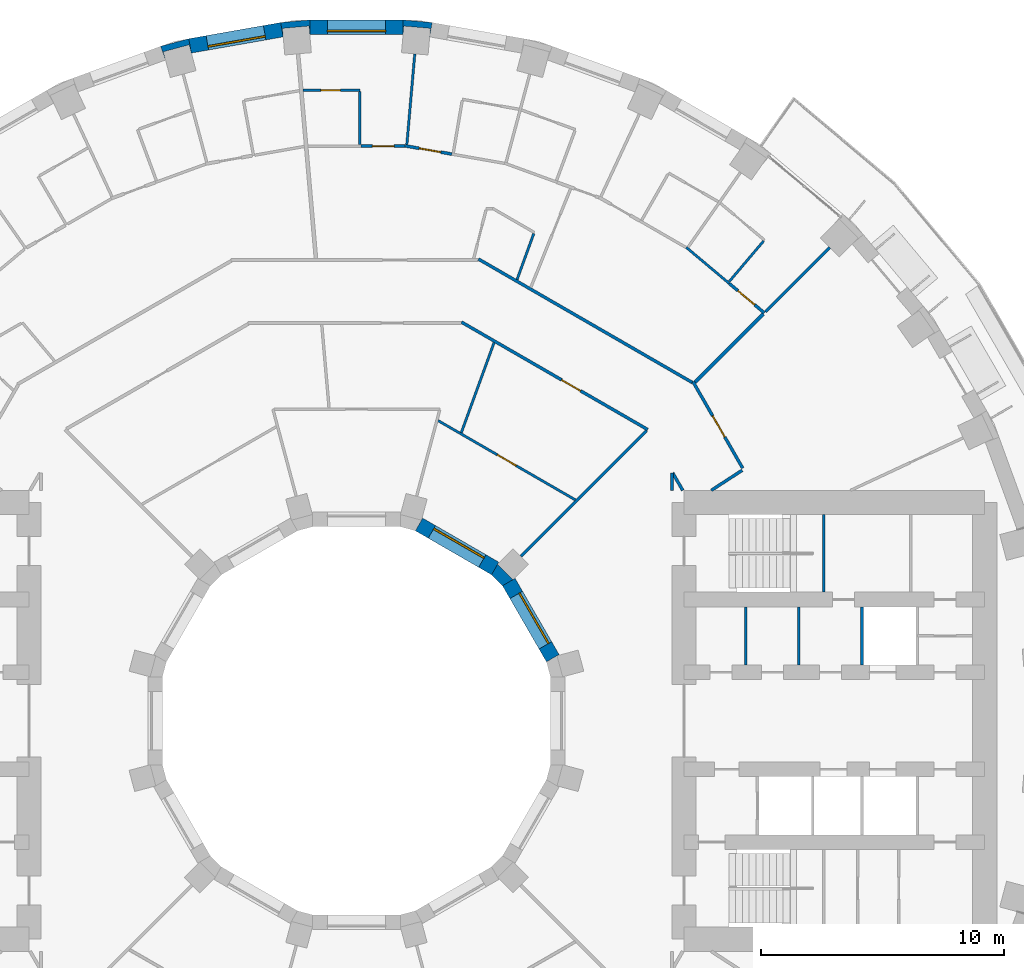
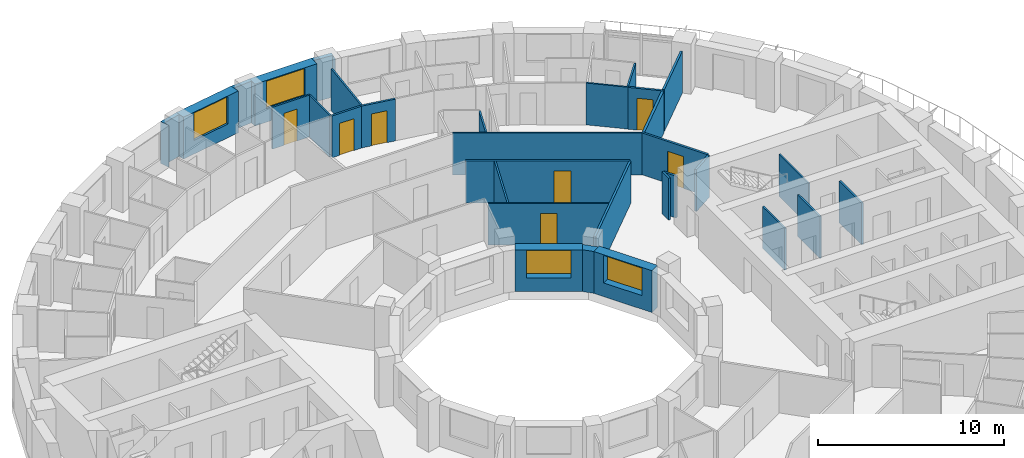
# One storey, part 12 of 15: 32 walls, 7 doors, 4 windows, 11 openings.
"""IFC4 building model written with IfcOpenShell, lengths in metres."""

import ifcopenshell
import ifcopenshell.guid

model = None  # the IFC model being written
_history = None  # IfcOwnerHistory: only IFC2X3 demands one
_inside = {}  # id of a spatial element -> (the spatial element, [elements in it])
_under = {}  # id of a project, library or spatial element -> (it, [spatial elements below it])
_declared = {}  # id of a project -> (the project, [libraries it declares])
_typed = {}  # id of a type object -> (the type object, [elements of that type])
_made_of = {}  # id of a material, layer set ... -> (it, [elements and type objects made of it])


def new_model(schema):
    """Start an empty IFC model of exactly this schema.

    Asked for "IFC4X3", IfcOpenShell would pick the latest addendum, in which some entities
    have other attributes; the version numbers below select the first issue.
    IFC2X3 requires an IfcOwnerHistory on every rooted entity: one is made here for all.
    """
    global model, _history
    if schema == "IFC4X3":
        model = ifcopenshell.file(schema_version=(4, 3, 0, 0))
    else:
        model = ifcopenshell.file(schema=schema)
    _inside.clear()
    _under.clear()
    _declared.clear()
    _typed.clear()
    _made_of.clear()
    _history = None
    if model.schema == "IFC2X3":
        org = make("IfcOrganization", Name="unknown")
        user = make(
            "IfcPersonAndOrganization",
            ThePerson=make("IfcPerson", FamilyName="unknown"),
            TheOrganization=org,
        )
        app = make(
            "IfcApplication",
            ApplicationDeveloper=org,
            Version="unknown",
            ApplicationFullName="unknown",
            ApplicationIdentifier="unknown",
        )
        _history = make(
            "IfcOwnerHistory",
            OwningUser=user,
            OwningApplication=app,
            ChangeAction="ADDED",
            CreationDate=0,
        )
    return model


def make(cls, **values):
    """One entity of the class cls with the attributes given. An attribute that is None is left unset."""
    return model.create_entity(
        cls, **{name: value for name, value in values.items() if value is not None}
    )


def rooted(cls, **values):
    """An entity with a GlobalId (a new one), such as an element, a storey or a relation."""
    return make(cls, GlobalId=ifcopenshell.guid.new(), OwnerHistory=_history, **values)


def si_unit(unit_type, name, prefix=None):
    """IfcSIUnit, for example si_unit("LENGTHUNIT", "METRE", prefix="MILLI")."""
    return make("IfcSIUnit", UnitType=unit_type, Prefix=prefix, Name=name)


def assignment(units):
    """IfcUnitAssignment: the units of a project."""
    return None if units is None else make("IfcUnitAssignment", Units=units)


def point(xyz):
    """IfcCartesianPoint."""
    return None if xyz is None else make("IfcCartesianPoint", Coordinates=xyz)


def direction(xyz):
    """IfcDirection."""
    return None if xyz is None else make("IfcDirection", DirectionRatios=xyz)


def frame(location, z_axis=None, x_axis=None):
    """IfcAxis2Placement3D, a coordinate frame: its origin and axes. An axis left out is left unset."""
    return make(
        "IfcAxis2Placement3D",
        Location=point(location),
        Axis=direction(z_axis),
        RefDirection=direction(x_axis),
    )


def frame_2d(location, x_axis=None):
    """IfcAxis2Placement2D, a coordinate frame in the plane: its origin and x axis."""
    return make(
        "IfcAxis2Placement2D", Location=point(location), RefDirection=direction(x_axis)
    )


def origin():
    """The frame at (0, 0, 0) with its axes left unset."""
    return frame((0.0, 0.0, 0.0))


def place(relative_to, where):
    """IfcLocalPlacement: puts the frame where relative to a parent placement (None: the world)."""
    return make(
        "IfcLocalPlacement", PlacementRelTo=relative_to, RelativePlacement=where
    )


def context(
    kind, dimensions, precision=None, world=None, true_north=None, identifier=None
):
    """IfcGeometricRepresentationContext, for example the 3D "Model" context."""
    return make(
        "IfcGeometricRepresentationContext",
        ContextIdentifier=identifier,
        ContextType=kind,
        CoordinateSpaceDimension=dimensions,
        Precision=precision,
        WorldCoordinateSystem=world,
        TrueNorth=true_north,
    )


def subcontext(parent, identifier, kind, view, scale=None):
    """IfcGeometricRepresentationSubContext, for example "Body" below "Model"."""
    return make(
        "IfcGeometricRepresentationSubContext",
        ContextIdentifier=identifier,
        ContextType=kind,
        ParentContext=parent,
        TargetScale=scale,
        TargetView=view,
    )


def project(units=None, contexts=None):
    """IfcProject with its units and contexts."""
    return rooted(
        "IfcProject",
        Name="project",
        RepresentationContexts=contexts,
        UnitsInContext=assignment(units),
    )


def spatial(cls, under=None, at=None, **own):
    """A site, building, storey or space (cls), placed at a placement, below another one or the project."""
    s = rooted(cls, ObjectPlacement=at, **own)
    if under is not None:
        _under.setdefault(under.id(), (under, []))[1].append(s)
    return s


def polyline(points):
    """IfcPolyline through the points."""
    return make("IfcPolyline", Points=[point(p) for p in points])


def profile(cls, at=None, kind="AREA", **sizes):
    """A parametric profile (cls). Its sizes go by their IFC names, for example OverallWidth=200.0."""
    return make(cls, ProfileType=kind, Position=at, **sizes)


def rectangle(**sizes):
    """IfcRectangleProfileDef."""
    return profile("IfcRectangleProfileDef", **sizes)


def outline(outer, holes=None, kind="AREA"):
    """IfcArbitraryClosedProfileDef: a profile drawn as a closed curve; with holes, ...WithVoids."""
    if holes is None:
        return make("IfcArbitraryClosedProfileDef", ProfileType=kind, OuterCurve=outer)
    return make(
        "IfcArbitraryProfileDefWithVoids",
        ProfileType=kind,
        OuterCurve=outer,
        InnerCurves=holes,
    )


def extrude(swept, where, along, depth):
    """IfcExtrudedAreaSolid: the profile swept, set in the frame where, extruded along a direction by depth."""
    return make(
        "IfcExtrudedAreaSolid",
        SweptArea=swept,
        Position=where,
        ExtrudedDirection=direction(along),
        Depth=depth,
    )


def shape(context_of_items, identifier, shape_type, items):
    """IfcShapeRepresentation: the items that make up one representation, for example the "Body"."""
    return make(
        "IfcShapeRepresentation",
        ContextOfItems=context_of_items,
        RepresentationIdentifier=identifier,
        RepresentationType=shape_type,
        Items=items,
    )


def material(Name=None, Category=None):
    """IfcMaterial."""
    return make("IfcMaterial", Name=Name, Category=Category)


def layer(
    of_material, thickness, ventilated=None, Name=None, Category=None, Priority=None
):
    """IfcMaterialLayer: one layer of a wall or slab, of a material (None: an air gap)."""
    return make(
        "IfcMaterialLayer",
        Material=of_material,
        LayerThickness=thickness,
        IsVentilated=ventilated,
        Name=Name,
        Category=Category,
        Priority=Priority,
    )


def layer_set(layers, Name=None):
    """IfcMaterialLayerSet."""
    return make("IfcMaterialLayerSet", MaterialLayers=layers, LayerSetName=Name)


def made_of(thing, what):
    """Note that an element or type object is made of a material, layer set ...; save() writes the relation."""
    if what is not None:
        _made_of.setdefault(what.id(), (what, []))[1].append(thing)
    return thing


def type_object(cls, material=None, **own):
    """A type object (cls), such as IfcWallType, which elements share."""
    return made_of(rooted(cls, **own), material)


def element(
    cls,
    number,
    at=None,
    inside=None,
    cuts=None,
    type_object=None,
    material=None,
    context=None,
    identifier="Body",
    shape_type=None,
    held_by="IfcProductDefinitionShape",
    body=None,
    shapes=None,
    **own,
):
    """One element of the class cls, such as IfcWall. Its Tag is "e" and its number.

    at: its placement. inside: the storey or other place that contains it. cuts: it is an
    opening in that element (IfcRelVoidsElement). A single representation is given by context,
    identifier, shape_type and body (its items); several are given by shapes. held_by: the class
    of the entity that holds the representations. save() writes the other relations.
    """
    e = rooted(cls, Tag="e%d" % number, ObjectPlacement=at, **own)
    if body is not None:
        shapes = [shape(context, identifier, shape_type, body)]
    if shapes is not None:
        e.Representation = make(held_by, Representations=shapes)
    if inside is not None:
        _inside.setdefault(inside.id(), (inside, []))[1].append(e)
    if cuts is not None:
        rooted(
            "IfcRelVoidsElement", RelatingBuildingElement=cuts, RelatedOpeningElement=e
        )
    if type_object is not None:
        _typed.setdefault(type_object.id(), (type_object, []))[1].append(e)
    return made_of(e, material)


def fill(opening, filler):
    """IfcRelFillsElement: the door or window that sits in an opening."""
    return rooted(
        "IfcRelFillsElement",
        RelatingOpeningElement=opening,
        RelatedBuildingElement=filler,
    )


def aggregate(whole, parts):
    """IfcRelAggregates: a whole, such as a stair, and the parts it consists of."""
    return rooted("IfcRelAggregates", RelatingObject=whole, RelatedObjects=parts)


def save(model, path):
    """Write the relations noted so far, then the file.

    IfcRelAggregates (storeys below a building ...), IfcRelContainedInSpatialStructure (elements
    in a storey), IfcRelDefinesByType, IfcRelAssociatesMaterial and IfcRelDeclares: one each for
    every whole, place, type object, material and project.
    """
    for whole, parts in _under.values():
        aggregate(whole, parts)
    for where, things in _inside.values():
        rooted(
            "IfcRelContainedInSpatialStructure",
            RelatedElements=things,
            RelatingStructure=where,
        )
    for kind, things in _typed.values():
        rooted("IfcRelDefinesByType", RelatedObjects=things, RelatingType=kind)
    for what, things in _made_of.values():
        rooted("IfcRelAssociatesMaterial", RelatedObjects=things, RelatingMaterial=what)
    for by, libraries in _declared.values():
        rooted("IfcRelDeclares", RelatingContext=by, RelatedDefinitions=libraries)
    model.write(path)


model = new_model("IFC4")

# Units and contexts
model_context = context("Model", 3, precision=1e-05, world=origin(), true_north=direction((0.0, 1.0)))
body_context = subcontext(model_context, "Body", "Model", "MODEL_VIEW")
ifc_project = project(units=[si_unit("LENGTHUNIT", "METRE"), si_unit("AREAUNIT", "SQUARE_METRE"), si_unit("VOLUMEUNIT", "CUBIC_METRE"), si_unit("PLANEANGLEUNIT", "RADIAN"), si_unit("MASSUNIT", "GRAM", prefix="KILO")], contexts=[model_context])

# Site, building, storey
site_placement = place(None, origin())
site = spatial("IfcSite", under=ifc_project, at=site_placement, CompositionType="ELEMENT")
building_placement = place(site_placement, origin())
building = spatial("IfcBuilding", under=site, at=building_placement, Name="Saqina Gate Tower", CompositionType="ELEMENT")
storey_placement = place(building_placement, frame((0.0, 0.0, 56.0)))
storey = spatial("IfcBuildingStorey", under=building, at=storey_placement, Name="L15", CompositionType="ELEMENT", Elevation=56.0)

# Walls
ifc_material_1 = material(Name="Brick masonry (red)", Category="masonry")
wall_type_1 = type_object("IfcWallType", Name="BRICK PIER COPING RED", PredefinedType="SOLIDWALL", material=ifc_material_1)
wall_1_placement = place(storey_placement, origin())
element("IfcWall", 1, at=wall_1_placement, inside=storey, type_object=wall_type_1, Name="Pier cap L15 column 9", PredefinedType="SOLIDWALL", context=body_context, shape_type="SweptSolid", body=[
    extrude(outline(polyline([(3.122802734375, 28.78466796875), (1.9228515625, 28.8896484375), (1.9228515625, 28.28955078125), (1.95361328125, 28.638671875), (3.04931640625, 28.54296875), (3.018798828125, 28.19384765625), (3.122802734375, 28.78466796875)])), origin(), (0.0, 0.0, 1.0), 2.75),
])
wall_2_placement = place(storey_placement, origin())
element("IfcWall", 2, at=wall_2_placement, inside=storey, type_object=wall_type_1, Name="Pier cap L15 column 10", PredefinedType="SOLIDWALL", context=body_context, shape_type="SweptSolid", body=[
    extrude(outline(polyline([(-1.9228515625, 28.8896484375), (-3.122802734375, 28.78466796875), (-3.018798828125, 28.19384765625), (-3.04931640625, 28.54296875), (-1.95361328125, 28.638671875), (-1.9228515625, 28.28955078125), (-1.9228515625, 28.8896484375)])), origin(), (0.0, 0.0, 1.0), 2.75),
])
wall_3_placement = place(storey_placement, origin())
element("IfcWall", 3, at=wall_3_placement, inside=storey, type_object=wall_type_1, Name="Pier cap L15 column 11", PredefinedType="SOLIDWALL", context=body_context, shape_type="SweptSolid", body=[
    extrude(outline(polyline([(-6.910400390625, 28.11669921875), (-8.073974609375, 27.80517578125), (-7.86865234375, 27.2412109375), (-7.95947265625, 27.57958984375), (-6.896728515625, 27.864501953125), (-6.80615234375, 27.52587890625), (-6.910400390625, 28.11669921875)])), origin(), (0.0, 0.0, 1.0), 2.75),
])
ifc_material_2 = material(Name="Gypsum board on steel studs", Category="steel")
ifc_layer_1 = layer(ifc_material_2, 0.10009765625)
ifc_layer_set_1 = layer_set([ifc_layer_1], Name="CORE PARTITION")
wall_type_2 = type_object("IfcWallType", Name="CORE PARTITION", PredefinedType="PARTITIONING", material=ifc_layer_set_1)
for number, where, z_axis, x_axis, name in (
    (4, (16.052001953125, 2.300048828125, 0.0), (0.0, 0.0, 1.0), (0.0, 1.0, 0.0), "L15-CP-E01"),
    (5, (18.24072265625, 2.300048828125, 0.0), (0.0, 0.0, 1.0), (0.0, 1.0, 0.0), "L15-CP-E02"),
):
    element("IfcWall", number, at=place(storey_placement, frame(where, z_axis=z_axis, x_axis=x_axis)), inside=storey, type_object=wall_type_2, Name=name, PredefinedType="PARTITIONING", context=body_context, shape_type="SweptSolid", body=[
        extrude(rectangle(XDim=2.39990234375, YDim=0.10009765625, at=frame_2d((1.199951171875, 0.0))), origin(), (0.0, 0.0, 1.0), 2.75),
    ])

# Wall, opening, window
ifc_material_3 = material(Name="Brick masonry (red)", Category="masonry")
ifc_layer_2 = layer(ifc_material_3, 0.60009765625)
ifc_layer_set_2 = layer_set([ifc_layer_2], Name="FW-BRICK-RED")
wall_type_3 = type_object("IfcWallType", Name="FW-BRICK-RED", PredefinedType="SOLIDWALL", material=ifc_layer_set_2)
wall_4_placement = place(storey_placement, frame((1.9228515625, 28.589599609375, 0.0), z_axis=(0.0, 0.0, 1.0), x_axis=(-1.0, 0.0, 0.0)))
wall_4 = element("IfcWall", 6, at=wall_4_placement, inside=storey, type_object=wall_type_3, Name="Facade wall L15 facet 9", PredefinedType="SOLIDWALL", context=body_context, shape_type="SweptSolid", body=[
    extrude(rectangle(XDim=3.845703125, YDim=0.60009765625, at=frame_2d((1.9228515625, 0.0))), origin(), (0.0, 0.0, 1.0), 2.75),
])
opening_1_placement = place(wall_4_placement, frame((0.722900390625, 0.0, 0.89990234375)))
opening_1 = element("IfcOpeningElement", 7, at=opening_1_placement, cuts=wall_4, Name="Opening G04-W04", PredefinedType="OPENING", context=body_context, shape_type="SweptSolid", body=[
    extrude(rectangle(XDim=2.39990234375, YDim=1.800048828125, at=frame_2d((1.199951171875, 0.89990234375))), frame((0.0, 0.31201171875, 0.0), z_axis=(0.0, -1.0, 0.0), x_axis=(1.0, 0.0, 0.0)), (0.0, 0.0, 1.0), 0.6240234375),
])
ifc_material_4 = material(Name="Aluminium glazing", Category="aluminium")
window_type_1 = type_object("IfcWindowType", Name="WN-A", PartitioningType="SINGLE_PANEL", PredefinedType="WINDOW", material=ifc_material_4)
window_1_placement = place(opening_1_placement, origin())
window_1 = element("IfcWindow", 8, at=window_1_placement, inside=storey, type_object=window_type_1, Name="Window L15 facet 9", OverallHeight=1.800048828125, OverallWidth=2.39990234375, PartitioningType="SINGLE_PANEL", PredefinedType="WINDOW", context=body_context, shape_type="SweptSolid", body=[
    extrude(rectangle(XDim=2.39990234375, YDim=1.800048828125, at=frame_2d((1.199951171875, 0.89990234375))), frame((0.0, 0.179931640625, 0.0), z_axis=(0.0, -1.0, 0.0), x_axis=(1.0, 0.0, 0.0)), (0.0, 0.0, 1.0), 0.06005859375),
])
fill(opening_1, window_1)

wall_5_placement = place(storey_placement, frame((-3.07080078125, 28.4892578125, 0.0), z_axis=(0.0, 0.0, 1.0), x_axis=(-0.984800809218, -0.173687553279, 0.0)))
wall_5 = element("IfcWall", 9, at=wall_5_placement, inside=storey, type_object=wall_type_3, Name="Facade wall L15 facet 10", PredefinedType="SOLIDWALL", context=body_context, shape_type="SweptSolid", body=[
    extrude(rectangle(XDim=3.845703125, YDim=0.60009765625, at=frame_2d((1.9228515625, 0.0))), origin(), (0.0, 0.0, 1.0), 2.75),
])
opening_2_placement = place(wall_5_placement, frame((0.722900390625, 0.0, 0.89990234375)))
opening_2 = element("IfcOpeningElement", 10, at=opening_2_placement, cuts=wall_5, Name="Opening G04-W05", PredefinedType="OPENING", context=body_context, shape_type="SweptSolid", body=[
    extrude(rectangle(XDim=2.39990234375, YDim=1.800048828125, at=frame_2d((1.199951171875, 0.89990234375))), frame((0.0, 0.31201171875, 0.0), z_axis=(0.0, -1.0, 0.0), x_axis=(1.0, 0.0, 0.0)), (0.0, 0.0, 1.0), 0.6240234375),
])
window_2_placement = place(opening_2_placement, origin())
window_2 = element("IfcWindow", 11, at=window_2_placement, inside=storey, type_object=window_type_1, Name="Window L15 facet 10", OverallHeight=1.800048828125, OverallWidth=2.39990234375, PartitioningType="SINGLE_PANEL", PredefinedType="WINDOW", context=body_context, shape_type="SweptSolid", body=[
    extrude(rectangle(XDim=2.39990234375, YDim=1.800048828125, at=frame_2d((1.199951171875, 0.89990234375))), frame((0.0, 0.179931640625, 0.0), z_axis=(0.0, -1.0, 0.0), x_axis=(1.0, 0.0, 0.0)), (0.0, 0.0, 1.0), 0.06005859375),
])
fill(opening_2, window_2)

ifc_material_5 = material(Name="Glazed ceramic tile", Category="ceramic")
ifc_layer_3 = layer(ifc_material_5, 0.60009765625)
ifc_layer_set_3 = layer_set([ifc_layer_3], Name="IW-TILE")
wall_type_4 = type_object("IfcWallType", Name="IW-TILE", PredefinedType="SOLIDWALL", material=ifc_layer_set_3)
wall_6_placement = place(storey_placement, frame((8.09423828125, 2.580322265625, 0.0), z_axis=(0.0, 0.0, 1.0), x_axis=(-0.499992569217, 0.866029693906, 0.0)))
wall_6 = element("IfcWall", 12, at=wall_6_placement, inside=storey, type_object=wall_type_4, Name="Well wall L15 facet 1", PredefinedType="SOLIDWALL", context=body_context, shape_type="SweptSolid", body=[
    extrude(rectangle(XDim=3.625, YDim=0.60009765625, at=frame_2d((1.8125, 0.0))), origin(), (0.0, 0.0, 1.0), 2.75),
])
opening_3_placement = place(wall_6_placement, frame((0.612548828125, 0.0, 0.89990234375)))
opening_3 = element("IfcOpeningElement", 13, at=opening_3_placement, cuts=wall_6, Name="Opening G04-W24", PredefinedType="OPENING", context=body_context, shape_type="SweptSolid", body=[
    extrude(rectangle(XDim=2.39990234375, YDim=1.800048828125, at=frame_2d((1.199951171875, 0.89990234375))), frame((0.0, 0.31201171875, 0.0), z_axis=(0.0, -1.0, 0.0), x_axis=(1.0, 0.0, 0.0)), (0.0, 0.0, 1.0), 0.6240234375),
])
ifc_material_6 = material(Name="Aluminium glazing", Category="aluminium")
window_type_2 = type_object("IfcWindowType", Name="WN-W", PartitioningType="SINGLE_PANEL", PredefinedType="WINDOW", material=ifc_material_6)
window_3_placement = place(opening_3_placement, origin())
window_3 = element("IfcWindow", 14, at=window_3_placement, inside=storey, type_object=window_type_2, Name="Well window L15 facet 1", OverallHeight=1.800048828125, OverallWidth=2.39990234375, PartitioningType="SINGLE_PANEL", PredefinedType="WINDOW", context=body_context, shape_type="SweptSolid", body=[
    extrude(rectangle(XDim=2.39990234375, YDim=1.800048828125, at=frame_2d((1.199951171875, 0.89990234375))), frame((0.0, -0.119873046875, 0.0), z_axis=(0.0, -1.0, 0.0), x_axis=(1.0, 0.0, 0.0)), (0.0, 0.0, 1.0), 0.06005859375),
])
fill(opening_3, window_3)

wall_7_placement = place(storey_placement, frame((5.7197265625, 6.28173828125, 0.0), z_axis=(0.0, 0.0, 1.0), x_axis=(-0.866029693906, 0.499992569217, 0.0)))
wall_7 = element("IfcWall", 15, at=wall_7_placement, inside=storey, type_object=wall_type_4, Name="Well wall L15 facet 2", PredefinedType="SOLIDWALL", context=body_context, shape_type="SweptSolid", body=[
    extrude(rectangle(XDim=3.625, YDim=0.60009765625, at=frame_2d((1.8125, 0.0))), origin(), (0.0, 0.0, 1.0), 2.75),
])
opening_4_placement = place(wall_7_placement, frame((0.612548828125, 0.0, 0.89990234375)))
opening_4 = element("IfcOpeningElement", 16, at=opening_4_placement, cuts=wall_7, Name="Opening G04-W25", PredefinedType="OPENING", context=body_context, shape_type="SweptSolid", body=[
    extrude(rectangle(XDim=2.39990234375, YDim=1.800048828125, at=frame_2d((1.199951171875, 0.89990234375))), frame((0.0, 0.31201171875, 0.0), z_axis=(0.0, -1.0, 0.0), x_axis=(1.0, 0.0, 0.0)), (0.0, 0.0, 1.0), 0.6240234375),
])
window_4_placement = place(opening_4_placement, origin())
window_4 = element("IfcWindow", 17, at=window_4_placement, inside=storey, type_object=window_type_2, Name="Well window L15 facet 2", OverallHeight=1.800048828125, OverallWidth=2.39990234375, PartitioningType="SINGLE_PANEL", PredefinedType="WINDOW", context=body_context, shape_type="SweptSolid", body=[
    extrude(rectangle(XDim=2.39990234375, YDim=1.800048828125, at=frame_2d((1.199951171875, 0.89990234375))), frame((0.0, -0.119873046875, 0.0), z_axis=(0.0, -1.0, 0.0), x_axis=(1.0, 0.0, 0.0)), (0.0, 0.0, 1.0), 0.06005859375),
])
fill(opening_4, window_4)

# Wall
ifc_material_7 = material(Name="Gypsum board on steel studs, 100 mm", Category="steel")
ifc_layer_4 = layer(ifc_material_7, 0.10009765625)
ifc_layer_set_4 = layer_set([ifc_layer_4], Name="PARTITION 100")
wall_type_5 = type_object("IfcWallType", Name="PARTITION 100", PredefinedType="PARTITIONING", material=ifc_layer_set_4)
wall_8_placement = place(storey_placement, frame((13.60107421875, 19.5126953125, 0.0), z_axis=(0.0, 0.0, 1.0), x_axis=(0.765838323525, -0.643033173499, 0.0)))
element("IfcWall", 18, at=wall_8_placement, inside=storey, type_object=wall_type_5, Name="PARTITION PW3-30", PredefinedType="PARTITIONING", context=body_context, shape_type="SweptSolid", body=[
    extrude(rectangle(XDim=2.30615234375, YDim=0.10009765625, at=frame_2d((1.153076171875, 0.0))), origin(), (0.0, 0.0, 1.0), 2.75),
])

# Wall, opening, door
wall_9_placement = place(storey_placement, frame((3.3662109375, 12.375, 0.0), z_axis=(0.0, 0.0, 1.0), x_axis=(0.86596399252, -0.500106352348, 0.0)))
wall_9 = element("IfcWall", 19, at=wall_9_placement, inside=storey, type_object=wall_type_5, Name="PARTITION PW3-41", PredefinedType="PARTITIONING", context=body_context, shape_type="SweptSolid", body=[
    extrude(rectangle(XDim=6.5322265625, YDim=0.10009765625, at=frame_2d((3.26611328125, 0.0))), origin(), (0.0, 0.0, 1.0), 2.75),
])
opening_5_placement = place(wall_9_placement, frame((2.822265625, 0.0, 0.0)))
opening_5 = element("IfcOpeningElement", 20, at=opening_5_placement, cuts=wall_9, Name="Opening G04-D07", PredefinedType="OPENING", context=body_context, shape_type="SweptSolid", body=[
    extrude(rectangle(XDim=0.89990234375, YDim=2.10009765625, at=frame_2d((0.449951171875, 1.050048828125))), frame((0.0, 0.06201171875, 0.0), z_axis=(0.0, -1.0, 0.0), x_axis=(1.0, 0.0, 0.0)), (0.0, 0.0, 1.0), 0.1240234375),
])
ifc_material_8 = material(Name="Timber door leaf, 900 mm", Category="wood")
door_type_1 = type_object("IfcDoorType", Name="DOOR 900 TIMBER", OperationType="SINGLE_SWING_LEFT", PredefinedType="DOOR", material=ifc_material_8)
door_1_placement = place(opening_5_placement, origin())
door_1 = element("IfcDoor", 21, at=door_1_placement, inside=storey, type_object=door_type_1, Name="DOOR G04-D07", OperationType="SINGLE_SWING_RIGHT", OverallHeight=2.10009765625, OverallWidth=0.89990234375, PredefinedType="DOOR", context=body_context, shape_type="SweptSolid", body=[
    extrude(rectangle(XDim=0.89990234375, YDim=2.10009765625, at=frame_2d((0.449951171875, 1.050048828125))), frame((0.0, 0.02490234375, 0.0), z_axis=(0.0, -1.0, 0.0), x_axis=(1.0, 0.0, 0.0)), (0.0, 0.0, 1.0), 0.050048828125),
])
fill(opening_5, door_1)

wall_10_placement = place(storey_placement, frame((-2.198974609375, 25.989990234375, 0.0), z_axis=(0.0, 0.0, 1.0), x_axis=(1.0, 0.0, 0.0)))
wall_10 = element("IfcWall", 22, at=wall_10_placement, inside=storey, type_object=wall_type_5, Name="PARTITION PW3-62", PredefinedType="PARTITIONING", context=body_context, shape_type="SweptSolid", body=[
    extrude(rectangle(XDim=2.344970703125, YDim=0.10009765625, at=frame_2d((1.17236328125, 0.0))), origin(), (0.0, 0.0, 1.0), 2.75),
])
opening_6_placement = place(wall_10_placement, frame((0.735107421875, 0.0, 0.0)))
opening_6 = element("IfcOpeningElement", 23, at=opening_6_placement, cuts=wall_10, Name="Opening G04-D19", PredefinedType="OPENING", context=body_context, shape_type="SweptSolid", body=[
    extrude(rectangle(XDim=0.800048828125, YDim=2.10009765625, at=frame_2d((0.39990234375, 1.050048828125))), frame((0.0, 0.06201171875, 0.0), z_axis=(0.0, -1.0, 0.0), x_axis=(1.0, 0.0, 0.0)), (0.0, 0.0, 1.0), 0.1240234375),
])
ifc_material_9 = material(Name="Timber door leaf, 800 mm", Category="wood")
door_type_2 = type_object("IfcDoorType", Name="DOOR 800 TIMBER", OperationType="SINGLE_SWING_LEFT", PredefinedType="DOOR", material=ifc_material_9)
door_2_placement = place(opening_6_placement, origin())
door_2 = element("IfcDoor", 24, at=door_2_placement, inside=storey, type_object=door_type_2, Name="DOOR G04-D19", OperationType="SINGLE_SWING_LEFT", OverallHeight=2.10009765625, OverallWidth=0.800048828125, PredefinedType="DOOR", context=body_context, shape_type="SweptSolid", body=[
    extrude(rectangle(XDim=0.800048828125, YDim=2.10009765625, at=frame_2d((0.39990234375, 1.050048828125))), frame((0.0, 0.02490234375, 0.0), z_axis=(0.0, -1.0, 0.0), x_axis=(1.0, 0.0, 0.0)), (0.0, 0.0, 1.0), 0.050048828125),
])
fill(opening_6, door_2)

# Walls
wall_11_placement = place(storey_placement, frame((15.369384765625, 18.109619140625, 0.0), z_axis=(0.0, 0.0, 1.0), x_axis=(0.646932224045, 0.762547505072, 0.0)))
element("IfcWall", 25, at=wall_11_placement, inside=storey, type_object=wall_type_5, Name="PARTITION PW3-84", PredefinedType="PARTITIONING", context=body_context, shape_type="SweptSolid", body=[
    extrude(rectangle(XDim=2.187744140625, YDim=0.10009765625, at=frame_2d((1.09375, 0.0))), origin(), (0.0, 0.0, 1.0), 2.75),
])
wall_12_placement = place(storey_placement, frame((4.32421875, 11.87890625, 0.0), z_axis=(0.0, 0.0, 1.0), x_axis=(0.341946576705, 0.939719393585, 0.0)))
element("IfcWall", 26, at=wall_12_placement, inside=storey, type_object=wall_type_5, Name="PARTITION PW3-101", PredefinedType="PARTITIONING", context=body_context, shape_type="SweptSolid", body=[
    extrude(rectangle(XDim=3.948974609375, YDim=0.10009765625, at=frame_2d((1.974609375, 0.0))), origin(), (0.0, 0.0, 1.0), 2.75),
])
wall_13_placement = place(storey_placement, frame((6.620361328125, 18.188720703125, 0.0), z_axis=(0.0, 0.0, 1.0), x_axis=(0.341976076059, 0.939708658789, 0.0)))
element("IfcWall", 27, at=wall_13_placement, inside=storey, type_object=wall_type_5, Name="PARTITION PW3-102", PredefinedType="PARTITIONING", context=body_context, shape_type="SweptSolid", body=[
    extrude(rectangle(XDim=2.01904296875, YDim=0.10009765625, at=frame_2d((1.009521484375, 0.0))), origin(), (0.0, 0.0, 1.0), 2.75),
])
wall_14_placement = place(storey_placement, frame((2.078369140625, 23.752197265625, 0.0), z_axis=(0.0, 0.0, 1.0), x_axis=(0.087045714137, 0.996204318225, 0.0)))
element("IfcWall", 28, at=wall_14_placement, inside=storey, type_object=wall_type_5, Name="PARTITION PW3-112", PredefinedType="PARTITIONING", context=body_context, shape_type="SweptSolid", body=[
    extrude(rectangle(XDim=3.7470703125, YDim=0.10009765625, at=frame_2d((1.87353515625, 0.0))), origin(), (0.0, 0.0, 1.0), 2.75),
])
wall_15_placement = place(storey_placement, frame((0.13330078125, 23.75244140625, 0.0), z_axis=(0.0, 0.0, 1.0), x_axis=(0.005691872083, 0.999983801165, 0.0)))
element("IfcWall", 29, at=wall_15_placement, inside=storey, type_object=wall_type_5, Name="PARTITION PW3-114", PredefinedType="PARTITIONING", context=body_context, shape_type="SweptSolid", body=[
    extrude(rectangle(XDim=2.1875, YDim=0.10009765625, at=frame_2d((1.09375, 0.0))), origin(), (0.0, 0.0, 1.0), 2.75),
])

# Wall, opening, door
ifc_material_10 = material(Name="Gypsum board on steel studs, 125 mm, fire rated", Category="steel")
ifc_layer_5 = layer(ifc_material_10, 0.125)
ifc_layer_set_5 = layer_set([ifc_layer_5], Name="PARTITION EI 30 125")
wall_type_6 = type_object("IfcWallType", Name="PARTITION EI 30 125", PredefinedType="PARTITIONING", material=ifc_layer_set_5)
wall_16_placement = place(storey_placement, frame((13.875732421875, 13.976318359375, 0.0), z_axis=(0.0, 0.0, 1.0), x_axis=(0.498306982451, -0.867000663921, 0.0)))
wall_16 = element("IfcWall", 30, at=wall_16_placement, inside=storey, type_object=wall_type_6, Name="PARTITION PW1-01", PredefinedType="PARTITIONING", context=body_context, shape_type="SweptSolid", body=[
    extrude(rectangle(XDim=4.108154296875, YDim=0.125, at=frame_2d((2.05419921875, 0.0))), origin(), (0.0, 0.0, 1.0), 2.75),
])
opening_7_placement = place(wall_16_placement, frame((1.622802734375, 0.0, 0.0)))
opening_7 = element("IfcOpeningElement", 31, at=opening_7_placement, cuts=wall_16, Name="Opening G04-D02", PredefinedType="OPENING", context=body_context, shape_type="SweptSolid", body=[
    extrude(rectangle(XDim=1.0, YDim=2.10009765625, at=frame_2d((0.5, 1.050048828125))), frame((0.0, 0.074462890625, 0.0), z_axis=(0.0, -1.0, 0.0), x_axis=(1.0, 0.0, 0.0)), (0.0, 0.0, 1.0), 0.14892578125),
])
ifc_material_11 = material(Name="Fire door leaf EI 30, 1000 mm")
door_type_3 = type_object("IfcDoorType", Name="DOOR 1000 EI 30", OperationType="SINGLE_SWING_LEFT", PredefinedType="DOOR", material=ifc_material_11)
door_3_placement = place(opening_7_placement, frame((1.0, 0.0, 0.0), z_axis=(0.0, 0.0, 1.0), x_axis=(-1.0, 0.0, 0.0)))
door_3 = element("IfcDoor", 32, at=door_3_placement, inside=storey, type_object=door_type_3, Name="DOOR G04-D02", OperationType="SINGLE_SWING_LEFT", OverallHeight=2.10009765625, OverallWidth=1.0, PredefinedType="DOOR", context=body_context, shape_type="SweptSolid", body=[
    extrude(rectangle(XDim=1.0, YDim=2.10009765625, at=frame_2d((0.5, 1.050048828125))), frame((0.0, 0.02490234375, 0.0), z_axis=(0.0, -1.0, 0.0), x_axis=(1.0, 0.0, 0.0)), (0.0, 0.0, 1.0), 0.050048828125),
])
fill(opening_7, door_3)

# Wall
wall_17_placement = place(storey_placement, frame((13.034912109375, 10.222412109375, 0.0), z_axis=(0.0, 0.0, 1.0), x_axis=(0.49991670217, -0.866073490468, 0.0)))
element("IfcWall", 33, at=wall_17_placement, inside=storey, type_object=wall_type_6, Name="PARTITION PW1-04", PredefinedType="PARTITIONING", context=body_context, shape_type="SweptSolid", body=[
    extrude(rectangle(XDim=0.834228515625, YDim=0.125, at=frame_2d((0.4169921875, 0.0))), origin(), (0.0, 0.0, 1.0), 2.75),
])

# Wall, opening, door
wall_18_placement = place(storey_placement, frame((15.3671875, 18.02978515625, 0.0), z_axis=(0.0, 0.0, 1.0), x_axis=(0.766035589551, -0.64279816081, 0.0)))
wall_18 = element("IfcWall", 34, at=wall_18_placement, inside=storey, type_object=wall_type_6, Name="PARTITION PW1-07", PredefinedType="PARTITIONING", context=body_context, shape_type="SweptSolid", body=[
    extrude(rectangle(XDim=1.889892578125, YDim=0.125, at=frame_2d((0.94482421875, 0.0))), origin(), (0.0, 0.0, 1.0), 2.75),
])
opening_8_placement = place(wall_18_placement, frame((0.469970703125, 0.0, 0.0)))
opening_8 = element("IfcOpeningElement", 35, at=opening_8_placement, cuts=wall_18, Name="Opening G04-D03", PredefinedType="OPENING", context=body_context, shape_type="SweptSolid", body=[
    extrude(rectangle(XDim=0.89990234375, YDim=2.10009765625, at=frame_2d((0.449951171875, 1.050048828125))), frame((0.0, 0.074462890625, 0.0), z_axis=(0.0, -1.0, 0.0), x_axis=(1.0, 0.0, 0.0)), (0.0, 0.0, 1.0), 0.14892578125),
])
ifc_material_12 = material(Name="Fire door leaf EI 30, 900 mm")
door_type_4 = type_object("IfcDoorType", Name="DOOR 900 EI 30", OperationType="SINGLE_SWING_LEFT", PredefinedType="DOOR", material=ifc_material_12)
door_4_placement = place(opening_8_placement, frame((0.89990234375, 0.0, 0.0), z_axis=(0.0, 0.0, 1.0), x_axis=(-1.0, 0.0, 0.0)))
door_4 = element("IfcDoor", 36, at=door_4_placement, inside=storey, type_object=door_type_4, Name="DOOR G04-D03", OperationType="SINGLE_SWING_LEFT", OverallHeight=2.10009765625, OverallWidth=0.89990234375, PredefinedType="DOOR", context=body_context, shape_type="SweptSolid", body=[
    extrude(rectangle(XDim=0.89990234375, YDim=2.10009765625, at=frame_2d((0.449951171875, 1.050048828125))), frame((0.0, 0.02490234375, 0.0), z_axis=(0.0, -1.0, 0.0), x_axis=(1.0, 0.0, 0.0)), (0.0, 0.0, 1.0), 0.050048828125),
])
fill(opening_8, door_4)

wall_19_placement = place(storey_placement, frame((4.33154296875, 16.43603515625, 0.0), z_axis=(0.0, 0.0, 1.0), x_axis=(0.866073188118, -0.499917225971, 0.0)))
wall_19 = element("IfcWall", 37, at=wall_19_placement, inside=storey, type_object=wall_type_6, Name="PARTITION PW1-12", PredefinedType="PARTITIONING", context=body_context, shape_type="SweptSolid", body=[
    extrude(rectangle(XDim=8.861328125, YDim=0.125, at=frame_2d((4.4306640625, 0.0))), origin(), (0.0, 0.0, 1.0), 2.75),
])
opening_9_placement = place(wall_19_placement, frame((4.768310546875, 0.0, 0.0)))
opening_9 = element("IfcOpeningElement", 38, at=opening_9_placement, cuts=wall_19, Name="Opening G04-D05", PredefinedType="OPENING", context=body_context, shape_type="SweptSolid", body=[
    extrude(rectangle(XDim=0.89990234375, YDim=2.10009765625, at=frame_2d((0.449951171875, 1.050048828125))), frame((0.0, 0.074462890625, 0.0), z_axis=(0.0, -1.0, 0.0), x_axis=(1.0, 0.0, 0.0)), (0.0, 0.0, 1.0), 0.14892578125),
])
door_5_placement = place(opening_9_placement, frame((0.89990234375, 0.0, 0.0), z_axis=(0.0, 0.0, 1.0), x_axis=(-1.0, 0.0, 0.0)))
door_5 = element("IfcDoor", 39, at=door_5_placement, inside=storey, type_object=door_type_4, Name="DOOR G04-D05", OperationType="SINGLE_SWING_LEFT", OverallHeight=2.10009765625, OverallWidth=0.89990234375, PredefinedType="DOOR", context=body_context, shape_type="SweptSolid", body=[
    extrude(rectangle(XDim=0.89990234375, YDim=2.10009765625, at=frame_2d((0.449951171875, 1.050048828125))), frame((0.0, 0.02490234375, 0.0), z_axis=(0.0, -1.0, 0.0), x_axis=(1.0, 0.0, 0.0)), (0.0, 0.0, 1.0), 0.050048828125),
])
fill(opening_9, door_5)

# Wall
wall_20_placement = place(storey_placement, frame((5.028564453125, 19.0361328125, 0.0), z_axis=(0.0, 0.0, 1.0), x_axis=(0.866024825845, -0.50000100102, 0.0)))
element("IfcWall", 40, at=wall_20_placement, inside=storey, type_object=wall_type_6, Name="PARTITION PW1-13", PredefinedType="PARTITIONING", context=body_context, shape_type="SweptSolid", body=[
    extrude(rectangle(XDim=10.19189453125, YDim=0.125, at=frame_2d((5.095947265625, 0.0))), origin(), (0.0, 0.0, 1.0), 2.75),
])

# Wall, opening, door
wall_21_placement = place(storey_placement, frame((2.010498046875, 23.700927734375, 0.0), z_axis=(0.0, 0.0, 1.0), x_axis=(0.984788592159, -0.173756809228, 0.0)))
wall_21 = element("IfcWall", 41, at=wall_21_placement, inside=storey, type_object=wall_type_6, Name="PARTITION PW1-20", PredefinedType="PARTITIONING", context=body_context, shape_type="SweptSolid", body=[
    extrude(rectangle(XDim=1.953125, YDim=0.125, at=frame_2d((0.9765625, 0.0))), origin(), (0.0, 0.0, 1.0), 2.75),
])
opening_10_placement = place(wall_21_placement, frame((0.583251953125, 0.0, 0.0)))
opening_10 = element("IfcOpeningElement", 42, at=opening_10_placement, cuts=wall_21, Name="Opening G04-D14", PredefinedType="OPENING", context=body_context, shape_type="SweptSolid", body=[
    extrude(rectangle(XDim=0.89990234375, YDim=2.10009765625, at=frame_2d((0.449951171875, 1.050048828125))), frame((0.0, 0.074462890625, 0.0), z_axis=(0.0, -1.0, 0.0), x_axis=(1.0, 0.0, 0.0)), (0.0, 0.0, 1.0), 0.14892578125),
])
door_6_placement = place(opening_10_placement, frame((0.89990234375, 0.0, 0.0), z_axis=(0.0, 0.0, 1.0), x_axis=(-1.0, 0.0, 0.0)))
door_6 = element("IfcDoor", 43, at=door_6_placement, inside=storey, type_object=door_type_4, Name="DOOR G04-D14", OperationType="SINGLE_SWING_RIGHT", OverallHeight=2.10009765625, OverallWidth=0.89990234375, PredefinedType="DOOR", context=body_context, shape_type="SweptSolid", body=[
    extrude(rectangle(XDim=0.89990234375, YDim=2.10009765625, at=frame_2d((0.449951171875, 1.050048828125))), frame((0.0, 0.02490234375, 0.0), z_axis=(0.0, -1.0, 0.0), x_axis=(1.0, 0.0, 0.0)), (0.0, 0.0, 1.0), 0.050048828125),
])
fill(opening_10, door_6)

wall_22_placement = place(storey_placement, frame((0.18310546875, 23.68994140625, 0.0), z_axis=(0.0, 0.0, 1.0), x_axis=(1.0, 0.0, 0.0)))
wall_22 = element("IfcWall", 44, at=wall_22_placement, inside=storey, type_object=wall_type_6, Name="PARTITION PW1-26", PredefinedType="PARTITIONING", context=body_context, shape_type="SweptSolid", body=[
    extrude(rectangle(XDim=1.827392578125, YDim=0.125, at=frame_2d((0.91357421875, 0.0))), origin(), (0.0, 0.0, 1.0), 2.75),
])
opening_11_placement = place(wall_22_placement, frame((0.469970703125, 0.0, 0.0)))
opening_11 = element("IfcOpeningElement", 45, at=opening_11_placement, cuts=wall_22, Name="Opening G04-D17", PredefinedType="OPENING", context=body_context, shape_type="SweptSolid", body=[
    extrude(rectangle(XDim=0.89990234375, YDim=2.10009765625, at=frame_2d((0.449951171875, 1.050048828125))), frame((0.0, 0.074462890625, 0.0), z_axis=(0.0, -1.0, 0.0), x_axis=(1.0, 0.0, 0.0)), (0.0, 0.0, 1.0), 0.14892578125),
])
door_7_placement = place(opening_11_placement, frame((0.89990234375, 0.0, 0.0), z_axis=(0.0, 0.0, 1.0), x_axis=(-1.0, 0.0, 0.0)))
door_7 = element("IfcDoor", 46, at=door_7_placement, inside=storey, type_object=door_type_4, Name="DOOR G04-D17", OperationType="SINGLE_SWING_LEFT", OverallHeight=2.10009765625, OverallWidth=0.89990234375, PredefinedType="DOOR", context=body_context, shape_type="SweptSolid", body=[
    extrude(rectangle(XDim=0.89990234375, YDim=2.10009765625, at=frame_2d((0.449951171875, 1.050048828125))), frame((0.0, 0.02490234375, 0.0), z_axis=(0.0, -1.0, 0.0), x_axis=(1.0, 0.0, 0.0)), (0.0, 0.0, 1.0), 0.050048828125),
])
fill(opening_11, door_7)

# Walls
wall_23_placement = place(storey_placement, frame((14.62890625, 9.5, 0.0), z_axis=(0.0, 0.0, 1.0), x_axis=(0.83882853689, 0.544395706908, 0.0)))
element("IfcWall", 47, at=wall_23_placement, inside=storey, type_object=wall_type_6, Name="PARTITION PW1-38", PredefinedType="PARTITIONING", context=body_context, shape_type="SweptSolid", body=[
    extrude(rectangle(XDim=1.520751953125, YDim=0.125, at=frame_2d((0.76025390625, 0.0))), origin(), (0.0, 0.0, 1.0), 2.75),
])
wall_24_placement = place(storey_placement, frame((6.78271484375, 6.78271484375, 0.0), z_axis=(0.0, 0.0, 1.0), x_axis=(0.707106781187, 0.707106781187, 0.0)))
element("IfcWall", 48, at=wall_24_placement, inside=storey, type_object=wall_type_6, Name="PARTITION PW1-42", PredefinedType="PARTITIONING", context=body_context, shape_type="SweptSolid", body=[
    extrude(rectangle(XDim=7.324462890625, YDim=0.125, at=frame_2d((3.662109375, 0.0))), origin(), (0.0, 0.0, 1.0), 2.75),
])
wall_25_placement = place(storey_placement, frame((16.859130859375, 16.859130859375, 0.0), z_axis=(0.0, 0.0, 1.0), x_axis=(0.707106781187, 0.707106781187, 0.0)))
element("IfcWall", 49, at=wall_25_placement, inside=storey, type_object=wall_type_6, Name="PARTITION PW1-43", PredefinedType="PARTITIONING", context=body_context, shape_type="SweptSolid", body=[
    extrude(rectangle(XDim=3.74755859375, YDim=0.125, at=frame_2d((1.873779296875, 0.0))), origin(), (0.0, 0.0, 1.0), 2.75),
])
wall_26_placement = place(storey_placement, frame((13.0, 9.5, 0.0), z_axis=(0.0, 0.0, 1.0), x_axis=(0.0, 1.0, 0.0)))
element("IfcWall", 50, at=wall_26_placement, inside=storey, type_object=wall_type_6, Name="PARTITION PW1-53", PredefinedType="PARTITIONING", context=body_context, shape_type="SweptSolid", body=[
    extrude(rectangle(XDim=0.720458984375, YDim=0.125, at=frame_2d((0.3603515625, 0.0))), origin(), (0.0, 0.0, 1.0), 2.75),
])
ifc_material_13 = material(Name="Gypsum board on steel studs, 150 mm, fire rated", Category="steel")
ifc_layer_6 = layer(ifc_material_13, 0.14990234375)
ifc_layer_set_6 = layer_set([ifc_layer_6], Name="PARTITION EI 60 150")
wall_type_7 = type_object("IfcWallType", Name="PARTITION EI 60 150", PredefinedType="PARTITIONING", material=ifc_layer_set_6)
wall_27_placement = place(storey_placement, frame((13.953125, 13.953125, 0.0), z_axis=(0.0, 0.0, 1.0), x_axis=(0.707106781187, 0.707106781187, 0.0)))
element("IfcWall", 51, at=wall_27_placement, inside=storey, type_object=wall_type_7, Name="PARTITION PW2-03", PredefinedType="PARTITIONING", context=body_context, shape_type="SweptSolid", body=[
    extrude(rectangle(XDim=3.984619140625, YDim=0.14990234375, at=frame_2d((1.9921875, 0.0))), origin(), (0.0, 0.0, 1.0), 2.75),
])
ifc_material_14 = material(Name="Autoclaved aerated concrete block", Category="concrete")
ifc_layer_7 = layer(ifc_material_14, 0.1201171875)
ifc_layer_set_7 = layer_set([ifc_layer_7], Name="SHAFT PARTITION")
wall_type_8 = type_object("IfcWallType", Name="SHAFT PARTITION", PredefinedType="PARTITIONING", material=ifc_layer_set_7)
wall_28_placement = place(storey_placement, frame((20.840087890625, 2.300048828125, 0.0), z_axis=(0.0, 0.0, 1.0), x_axis=(0.0, 1.0, 0.0)))
element("IfcWall", 52, at=wall_28_placement, inside=storey, type_object=wall_type_8, Name="L15-CP-E03", PredefinedType="PARTITIONING", context=body_context, shape_type="SweptSolid", body=[
    extrude(rectangle(XDim=2.39990234375, YDim=0.1201171875, at=frame_2d((1.199951171875, 0.0))), origin(), (0.0, 0.0, 1.0), 2.75),
])
ifc_material_15 = material(Name="Autoclaved aerated concrete block", Category="concrete")
ifc_layer_8 = layer(ifc_material_15, 0.10009765625)
ifc_layer_set_8 = layer_set([ifc_layer_8], Name="STAIR ENCLOSURE WALL")
wall_type_9 = type_object("IfcWallType", Name="STAIR ENCLOSURE WALL", PredefinedType="PARTITIONING", material=ifc_layer_set_8)
wall_29_placement = place(storey_placement, frame((19.27001953125, 5.300048828125, 0.0), z_axis=(0.0, 0.0, 1.0), x_axis=(0.0, 1.0, 0.0)))
element("IfcWall", 53, at=wall_29_placement, inside=storey, type_object=wall_type_9, Name="L15-CP-E10", PredefinedType="PARTITIONING", context=body_context, shape_type="SweptSolid", body=[
    extrude(rectangle(XDim=3.199951171875, YDim=0.10009765625, at=frame_2d((1.60009765625, 0.0))), origin(), (0.0, 0.0, 1.0), 2.75),
])
ifc_material_16 = material(Name="Glazed ceramic tile", Category="ceramic")
wall_type_10 = type_object("IfcWallType", Name="TILE PIER COPING", PredefinedType="SOLIDWALL", material=ifc_material_16)
wall_30_placement = place(storey_placement, origin())
element("IfcWall", 54, at=wall_30_placement, inside=storey, type_object=wall_type_10, Name="Well pier cap L15 column 2", PredefinedType="SOLIDWALL", context=body_context, shape_type="SweptSolid", body=[
    extrude(outline(polyline([(5.821044921875, 6.45751953125), (5.569580078125, 6.02197265625), (6.02197265625, 5.569580078125), (6.45751953125, 5.821044921875), (5.821044921875, 6.45751953125)])), origin(), (0.0, 0.0, 1.0), 2.75),
])

save(model, "model.ifc")
